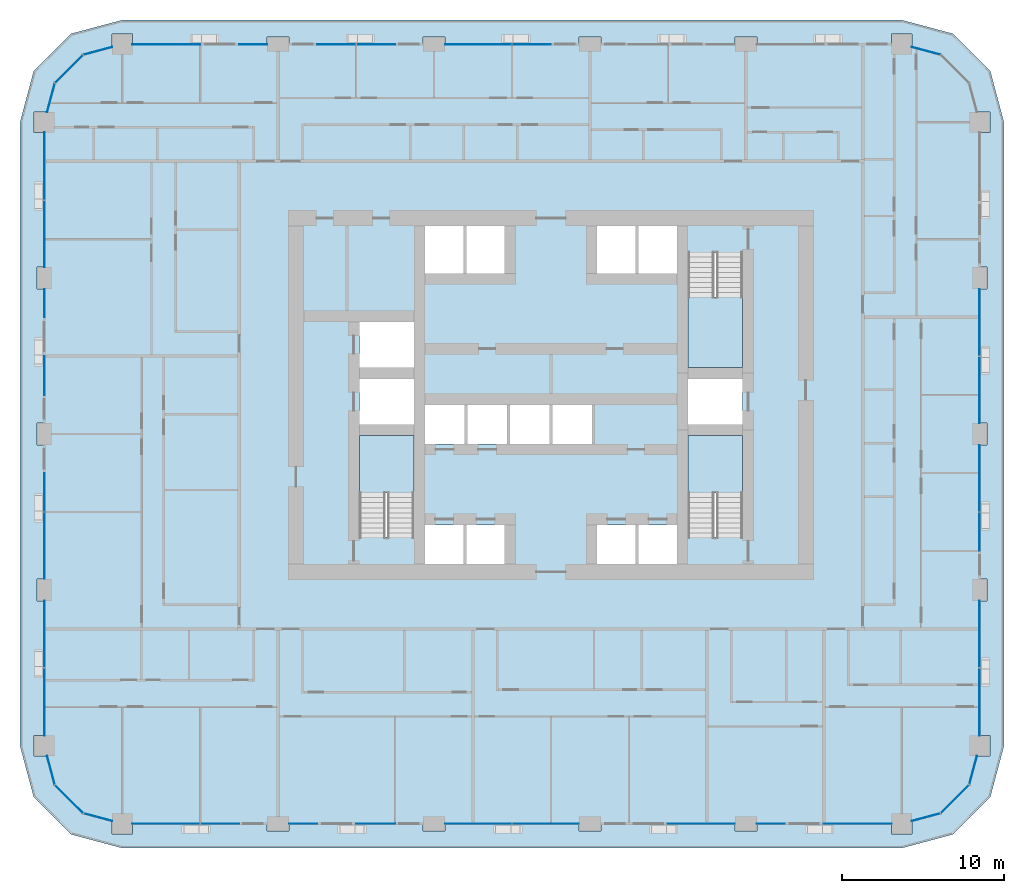
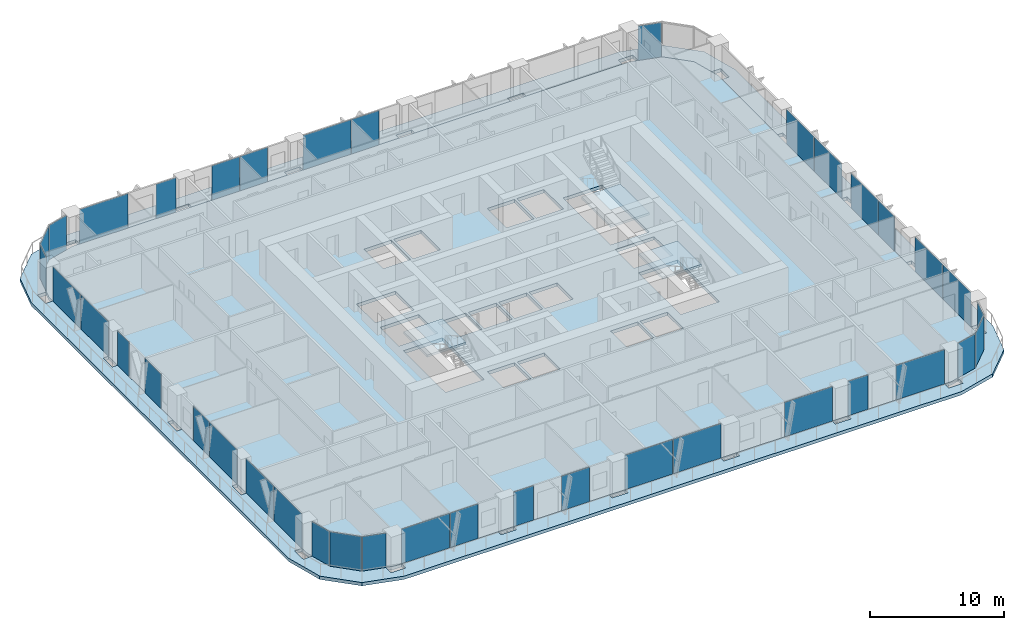
# One storey, part 7 of 21: 39 plates, 5 slabs, 22 elements without a shape of their own.
"""IFC4 building model written with IfcOpenShell, lengths in metres."""

from ifc_helpers import new_model, si_unit, direction, frame, origin, origin_2d, place, context, subcontext, project, spatial, polyline, rectangle, outline, extrude, material, layer, layer_set, type_object, element, aggregate, save


model = new_model("IFC4")

# Units and contexts
model_context = context("Model", 3, precision=1e-05, world=origin(), true_north=direction((0.0, 1.0)))
body_context = subcontext(model_context, "Body", "Model", "MODEL_VIEW")
ifc_project = project(units=[si_unit("LENGTHUNIT", "METRE"), si_unit("AREAUNIT", "SQUARE_METRE"), si_unit("VOLUMEUNIT", "CUBIC_METRE"), si_unit("PLANEANGLEUNIT", "RADIAN"), si_unit("MASSUNIT", "GRAM", prefix="KILO")], contexts=[model_context])

# Site, building, storey
site_placement = place(None, origin())
site = spatial("IfcSite", under=ifc_project, at=site_placement, CompositionType="ELEMENT")
building_placement = place(site_placement, origin())
building = spatial("IfcBuilding", under=site, at=building_placement, Name="Madar Terraces", CompositionType="ELEMENT")
storey_placement = place(building_placement, frame((0.0, 0.0, 29.39990234375)))
storey = spatial("IfcBuildingStorey", under=building, at=storey_placement, Name="L06", CompositionType="ELEMENT", Elevation=29.39990234375)

# Slabs
ifc_material_1 = material(Name="Concrete C50/60", Category="concrete")
ifc_layer_1 = layer(ifc_material_1, 0.300048828125)
ifc_layer_set_1 = layer_set([ifc_layer_1], Name="Balcony band 300")
slab_type_1 = type_object("IfcSlabType", Name="Balcony band 300", PredefinedType="FLOOR", material=ifc_layer_set_1)
slab_1_placement = place(storey_placement, frame((0.0, 0.0, -0.2998046875)))
element("IfcSlab", 1, at=slab_1_placement, inside=storey, type_object=slab_type_1, Name="Balcony band", PredefinedType="FLOOR", context=body_context, shape_type="SweptSolid", body=[
    extrude(outline(polyline([(4.800048828125, -1.5), (1.64990234375, -0.656005859375), (-0.656005859375, 1.64990234375), (-1.5, 4.800048828125), (-1.5, 43.199951171875), (-0.656005859375, 46.35009765625), (1.64990234375, 48.656005859375), (4.800048828125, 49.5), (52.800048828125, 49.5), (55.949951171875, 48.656005859375), (58.256103515625, 46.35009765625), (59.10009765625, 43.199951171875), (59.10009765625, 4.800048828125), (58.256103515625, 1.64990234375), (55.949951171875, -0.656005859375), (52.800048828125, -1.5), (4.800048828125, -1.5)]), holes=[polyline([(5.425048828125, -0.625), (5.425048828125, 0.0), (13.72509765625, 0.0), (13.72509765625, -0.449951171875), (15.074951171875, -0.449951171875), (15.074951171875, 0.0), (23.324951171875, 0.0), (23.324951171875, -0.449951171875), (24.675048828125, -0.449951171875), (24.675048828125, 0.0), (32.925048828125, 0.0), (32.925048828125, -0.449951171875), (34.27490234375, -0.449951171875), (34.27490234375, 0.0), (42.52490234375, 0.0), (42.52490234375, -0.449951171875), (43.875, -0.449951171875), (43.875, 0.0), (52.175048828125, 0.0), (52.175048828125, -0.625), (53.425048828125, -0.625), (53.425048828125, 0.16748046875), (55.199951171875, 0.64306640625), (56.956787109375, 2.39990234375), (57.4326171875, 4.175048828125), (58.22509765625, 4.175048828125), (58.22509765625, 5.425048828125), (57.60009765625, 5.425048828125), (57.60009765625, 13.72509765625), (58.050048828125, 13.72509765625), (58.050048828125, 15.074951171875), (57.60009765625, 15.074951171875), (57.60009765625, 23.324951171875), (58.050048828125, 23.324951171875), (58.050048828125, 24.675048828125), (57.60009765625, 24.675048828125), (57.60009765625, 32.925048828125), (58.050048828125, 32.925048828125), (58.050048828125, 34.27490234375), (57.60009765625, 34.27490234375), (57.60009765625, 42.574951171875), (58.22509765625, 42.574951171875), (58.22509765625, 43.824951171875), (57.4326171875, 43.824951171875), (56.956787109375, 45.60009765625), (55.199951171875, 47.35693359375), (53.425048828125, 47.83251953125), (53.425048828125, 48.625), (52.175048828125, 48.625), (52.175048828125, 48.0), (43.875, 48.0), (43.875, 48.449951171875), (42.52490234375, 48.449951171875), (42.52490234375, 48.0), (34.27490234375, 48.0), (34.27490234375, 48.449951171875), (32.925048828125, 48.449951171875), (32.925048828125, 48.0), (24.675048828125, 48.0), (24.675048828125, 48.449951171875), (23.324951171875, 48.449951171875), (23.324951171875, 48.0), (15.074951171875, 48.0), (15.074951171875, 48.449951171875), (13.72509765625, 48.449951171875), (13.72509765625, 48.0), (5.425048828125, 48.0), (5.425048828125, 48.625), (4.175048828125, 48.625), (4.175048828125, 47.83251953125), (2.39990234375, 47.35693359375), (0.64306640625, 45.60009765625), (0.16748046875, 43.824951171875), (-0.625, 43.824951171875), (-0.625, 42.574951171875), (0.0, 42.574951171875), (0.0, 34.27490234375), (-0.449951171875, 34.27490234375), (-0.449951171875, 32.925048828125), (0.0, 32.925048828125), (0.0, 24.675048828125), (-0.449951171875, 24.675048828125), (-0.449951171875, 23.324951171875), (0.0, 23.324951171875), (0.0, 15.074951171875), (-0.449951171875, 15.074951171875), (-0.449951171875, 13.72509765625), (0.0, 13.72509765625), (0.0, 5.425048828125), (-0.625, 5.425048828125), (-0.625, 4.175048828125), (0.16748046875, 4.175048828125), (0.64306640625, 2.39990234375), (2.39990234375, 0.64306640625), (4.175048828125, 0.16748046875), (4.175048828125, -0.625), (5.425048828125, -0.625)])]), origin(), (0.0, 0.0, 1.0), 0.2998046875),
])
ifc_material_2 = material(Name="Concrete C50/60", Category="concrete")
ifc_layer_2 = layer(ifc_material_2, 0.300048828125)
ifc_layer_set_2 = layer_set([ifc_layer_2], Name="FS2 PT flat slab 300")
slab_type_2 = type_object("IfcSlabType", Name="FS2 PT flat slab 300", PredefinedType="FLOOR", material=ifc_layer_set_2)
slab_2_placement = place(storey_placement, frame((0.0, 0.0, -0.2998046875)))
element("IfcSlab", 2, at=slab_2_placement, inside=storey, type_object=slab_type_2, Name="Floor slab L06 (1)", PredefinedType="FLOOR", context=body_context, shape_type="SweptSolid", body=[
    extrude(outline(polyline([(52.800048828125, 0.0), (55.199951171875, 0.64306640625), (56.95703125, 2.39990234375), (57.60009765625, 4.800048828125), (57.60009765625, 43.199951171875), (56.95703125, 45.60009765625), (55.199951171875, 47.35693359375), (52.800048828125, 48.0), (4.800048828125, 48.0), (2.39990234375, 47.35693359375), (0.64306640625, 45.60009765625), (0.0, 43.199951171875), (0.0, 4.800048828125), (0.64306640625, 2.39990234375), (2.39990234375, 0.64306640625), (4.800048828125, 0.0), (52.800048828125, 0.0)]), holes=[polyline([(23.449951171875, 16.0), (23.449951171875, 18.39990234375), (25.800048828125, 18.39990234375), (25.800048828125, 16.0), (23.449951171875, 16.0)]), polyline([(26.0, 16.0), (26.0, 18.39990234375), (28.35009765625, 18.39990234375), (28.35009765625, 16.0), (26.0, 16.0)]), polyline([(19.39990234375, 17.64990234375), (19.39990234375, 23.89990234375), (22.75, 23.89990234375), (22.75, 17.64990234375), (19.39990234375, 17.64990234375)]), polyline([(23.449951171875, 23.39990234375), (23.449951171875, 25.800048828125), (25.86669921875, 25.800048828125), (25.86669921875, 23.39990234375), (23.449951171875, 23.39990234375)]), polyline([(26.066650390625, 23.39990234375), (26.066650390625, 25.800048828125), (28.4833984375, 25.800048828125), (28.4833984375, 23.39990234375), (26.066650390625, 23.39990234375)]), polyline([(19.39990234375, 24.60009765625), (19.39990234375, 27.39990234375), (22.75, 27.39990234375), (22.75, 24.60009765625), (19.39990234375, 24.60009765625)]), polyline([(19.39990234375, 28.10009765625), (19.39990234375, 30.89990234375), (22.75, 30.89990234375), (22.75, 28.10009765625), (19.39990234375, 28.10009765625)]), polyline([(23.449951171875, 36.800048828125), (25.800048828125, 36.800048828125), (25.800048828125, 33.89990234375), (23.449951171875, 33.89990234375), (23.449951171875, 36.800048828125)]), polyline([(26.0, 36.800048828125), (28.35009765625, 36.800048828125), (28.35009765625, 33.89990234375), (26.0, 33.89990234375), (26.0, 36.800048828125)]), polyline([(34.050048828125, 16.0), (34.050048828125, 18.39990234375), (36.39990234375, 18.39990234375), (36.39990234375, 16.0), (34.050048828125, 16.0)]), polyline([(36.60009765625, 16.0), (36.60009765625, 18.39990234375), (38.949951171875, 18.39990234375), (38.949951171875, 16.0), (36.60009765625, 16.0)]), polyline([(39.64990234375, 17.64990234375), (39.64990234375, 23.89990234375), (43.0, 23.89990234375), (43.0, 17.64990234375), (39.64990234375, 17.64990234375)]), polyline([(28.683349609375, 23.39990234375), (28.683349609375, 25.800048828125), (31.10009765625, 25.800048828125), (31.10009765625, 23.39990234375), (28.683349609375, 23.39990234375)]), polyline([(31.300048828125, 23.39990234375), (31.300048828125, 25.800048828125), (33.716552734375, 25.800048828125), (33.716552734375, 23.39990234375), (31.300048828125, 23.39990234375)]), polyline([(39.64990234375, 24.60009765625), (39.64990234375, 27.39990234375), (43.0, 27.39990234375), (43.0, 24.60009765625), (39.64990234375, 24.60009765625)]), polyline([(39.64990234375, 28.10009765625), (39.64990234375, 35.14990234375), (43.0, 35.14990234375), (43.0, 28.10009765625), (39.64990234375, 28.10009765625)]), polyline([(34.050048828125, 36.800048828125), (36.39990234375, 36.800048828125), (36.39990234375, 33.89990234375), (34.050048828125, 33.89990234375), (34.050048828125, 36.800048828125)]), polyline([(36.60009765625, 36.800048828125), (38.949951171875, 36.800048828125), (38.949951171875, 33.89990234375), (36.60009765625, 33.89990234375), (36.60009765625, 36.800048828125)])]), origin(), (0.0, 0.0, 1.0), 0.2998046875),
])

# Curtain wall, plates
ifc_material_3 = material(Name="Glass, ceramic frit dark grey, with black aluminium frame", Category="aluminium")
ifc_layer_3 = layer(ifc_material_3, 0.199951171875)
ifc_layer_set_3 = layer_set([ifc_layer_3], Name="Facade curtain wall, fritted glass")
curtain_wall_type = type_object("IfcCurtainWallType", Name="Facade curtain wall, fritted glass", PredefinedType="NOTDEFINED", material=ifc_layer_set_3)
curtain_wall_1_placement = place(storey_placement, origin())
curtain_wall_1 = element("IfcCurtainWall", 3, at=curtain_wall_1_placement, inside=storey, type_object=curtain_wall_type, Name="Outer skin curtain wall south bay 1", PredefinedType="NOTDEFINED")
ifc_material_4 = material(Name="Glass, ceramic frit dark grey", Category="glass")
ifc_layer_4 = layer(ifc_material_4, 0.028076171875)
ifc_layer_set_4 = layer_set([ifc_layer_4], Name="Facade glass panel 28")
plate_type = type_object("IfcPlateType", Name="Facade glass panel 28", PredefinedType="CURTAIN_PANEL", material=ifc_layer_set_4)
plate_1_placement = place(storey_placement, frame((7.49755859375, 0.0, 0.0), z_axis=(0.0, 0.0, 1.0), x_axis=(1.0, 0.0, 0.0)))
plate_1 = element("IfcPlate", 4, at=plate_1_placement, type_object=plate_type, Name="Panel 1", PredefinedType="CURTAIN_PANEL", context=body_context, shape_type="SweptSolid", body=[
    extrude(rectangle(XDim=4.14501953125, YDim=0.028076171875, at=origin_2d()), origin(), (0.0, 0.0, 1.0), 3.139892578125),
])
plate_2_placement = place(storey_placement, frame((10.81494140625, 0.0, 0.0), z_axis=(0.0, 0.0, 1.0), x_axis=(1.0, 0.0, 0.0)))
plate_2 = element("IfcPlate", 5, at=plate_2_placement, type_object=plate_type, Name="Panel 2", PredefinedType="CURTAIN_PANEL", context=body_context, shape_type="SweptSolid", body=[
    extrude(rectangle(XDim=2.3701171875, YDim=0.028076171875, at=origin_2d()), origin(), (0.0, 0.0, 1.0), 3.139892578125),
])
aggregate(curtain_wall_1, [plate_1, plate_2])

curtain_wall_2_placement = place(storey_placement, origin())
curtain_wall_2 = element("IfcCurtainWall", 6, at=curtain_wall_2_placement, inside=storey, type_object=curtain_wall_type, Name="Outer skin curtain wall south bay 2", PredefinedType="NOTDEFINED")
plate_3_placement = place(storey_placement, frame((15.9375, 0.0, 0.0), z_axis=(0.0, 0.0, 1.0), x_axis=(1.0, 0.0, 0.0)))
plate_3 = element("IfcPlate", 7, at=plate_3_placement, type_object=plate_type, Name="Panel 1", PredefinedType="CURTAIN_PANEL", context=body_context, shape_type="SweptSolid", body=[
    extrude(rectangle(XDim=1.72509765625, YDim=0.028076171875, at=origin_2d()), origin(), (0.0, 0.0, 1.0), 3.139892578125),
])
plate_4_placement = place(storey_placement, frame((20.39990234375, 0.0, 0.0), z_axis=(0.0, 0.0, 1.0), x_axis=(1.0, 0.0, 0.0)))
plate_4 = element("IfcPlate", 8, at=plate_4_placement, type_object=plate_type, Name="Panel 2", PredefinedType="CURTAIN_PANEL", context=body_context, shape_type="SweptSolid", body=[
    extrude(rectangle(XDim=2.39990234375, YDim=0.028076171875, at=origin_2d()), origin(), (0.0, 0.0, 1.0), 3.139892578125),
])
aggregate(curtain_wall_2, [plate_3, plate_4])

curtain_wall_3_placement = place(storey_placement, origin())
curtain_wall_3 = element("IfcCurtainWall", 9, at=curtain_wall_3_placement, inside=storey, type_object=curtain_wall_type, Name="Outer skin curtain wall south bay 3", PredefinedType="NOTDEFINED")
plate_5_placement = place(storey_placement, frame((26.722412109375, 0.0, 0.0), z_axis=(0.0, 0.0, 1.0), x_axis=(1.0, 0.0, 0.0)))
plate_5 = element("IfcPlate", 10, at=plate_5_placement, type_object=plate_type, Name="Panel 1", PredefinedType="CURTAIN_PANEL", context=body_context, shape_type="SweptSolid", body=[
    extrude(rectangle(XDim=4.094970703125, YDim=0.028076171875, at=origin_2d()), origin(), (0.0, 0.0, 1.0), 3.139892578125),
])
plate_6_placement = place(storey_placement, frame((30.87744140625, 0.0, 0.0), z_axis=(0.0, 0.0, 1.0), x_axis=(1.0, 0.0, 0.0)))
plate_6 = element("IfcPlate", 11, at=plate_6_placement, type_object=plate_type, Name="Panel 2", PredefinedType="CURTAIN_PANEL", context=body_context, shape_type="SweptSolid", body=[
    extrude(rectangle(XDim=4.094970703125, YDim=0.028076171875, at=origin_2d()), origin(), (0.0, 0.0, 1.0), 3.139892578125),
])
aggregate(curtain_wall_3, [plate_5, plate_6])

# Curtain wall, plate
curtain_wall_4_placement = place(storey_placement, origin())
curtain_wall_4 = element("IfcCurtainWall", 12, at=curtain_wall_4_placement, inside=storey, type_object=curtain_wall_type, Name="Outer skin curtain wall south bay 4", PredefinedType="NOTDEFINED")
plate_7_placement = place(storey_placement, frame((40.46240234375, 0.0, 0.0), z_axis=(0.0, 0.0, 1.0), x_axis=(1.0, 0.0, 0.0)))
plate_7 = element("IfcPlate", 13, at=plate_7_placement, type_object=plate_type, Name="Panel 1", PredefinedType="CURTAIN_PANEL", context=body_context, shape_type="SweptSolid", body=[
    extrude(rectangle(XDim=4.125, YDim=0.028076171875, at=origin_2d()), origin(), (0.0, 0.0, 1.0), 3.139892578125),
])
aggregate(curtain_wall_4, [plate_7])

# Curtain wall, plates
curtain_wall_5_placement = place(storey_placement, origin())
curtain_wall_5 = element("IfcCurtainWall", 14, at=curtain_wall_5_placement, inside=storey, type_object=curtain_wall_type, Name="Outer skin curtain wall south bay 5", PredefinedType="NOTDEFINED")
plate_8_placement = place(storey_placement, frame((44.737548828125, 0.0, 0.0), z_axis=(0.0, 0.0, 1.0), x_axis=(1.0, 0.0, 0.0)))
plate_8 = element("IfcPlate", 15, at=plate_8_placement, type_object=plate_type, Name="Panel 1", PredefinedType="CURTAIN_PANEL", context=body_context, shape_type="SweptSolid", body=[
    extrude(rectangle(XDim=1.72509765625, YDim=0.028076171875, at=origin_2d()), origin(), (0.0, 0.0, 1.0), 3.139892578125),
])
plate_9_placement = place(storey_placement, frame((50.08740234375, 0.0, 0.0), z_axis=(0.0, 0.0, 1.0), x_axis=(1.0, 0.0, 0.0)))
plate_9 = element("IfcPlate", 16, at=plate_9_placement, type_object=plate_type, Name="Panel 2", PredefinedType="CURTAIN_PANEL", context=body_context, shape_type="SweptSolid", body=[
    extrude(rectangle(XDim=4.175048828125, YDim=0.028076171875, at=origin_2d()), origin(), (0.0, 0.0, 1.0), 3.139892578125),
])
aggregate(curtain_wall_5, [plate_8, plate_9])

curtain_wall_6_placement = place(storey_placement, origin())
curtain_wall_6 = element("IfcCurtainWall", 17, at=curtain_wall_6_placement, inside=storey, type_object=curtain_wall_type, Name="Outer skin curtain wall east bay 1", PredefinedType="NOTDEFINED")
plate_10_placement = place(storey_placement, frame((57.60009765625, 7.49755859375, 0.0), z_axis=(0.0, 0.0, 1.0), x_axis=(0.0, 1.0, 0.0)))
plate_10 = element("IfcPlate", 18, at=plate_10_placement, type_object=plate_type, Name="Panel 1", PredefinedType="CURTAIN_PANEL", context=body_context, shape_type="SweptSolid", body=[
    extrude(rectangle(XDim=4.14501953125, YDim=0.028076171875, at=origin_2d()), origin(), (0.0, 0.0, 1.0), 3.139892578125),
])
plate_11_placement = place(storey_placement, frame((57.60009765625, 11.677490234375, 0.0), z_axis=(0.0, 0.0, 1.0), x_axis=(0.0, 1.0, 0.0)))
plate_11 = element("IfcPlate", 19, at=plate_11_placement, type_object=plate_type, Name="Panel 2", PredefinedType="CURTAIN_PANEL", context=body_context, shape_type="SweptSolid", body=[
    extrude(rectangle(XDim=4.094970703125, YDim=0.028076171875, at=origin_2d()), origin(), (0.0, 0.0, 1.0), 3.139892578125),
])
aggregate(curtain_wall_6, [plate_10, plate_11])

curtain_wall_7_placement = place(storey_placement, origin())
curtain_wall_7 = element("IfcCurtainWall", 20, at=curtain_wall_7_placement, inside=storey, type_object=curtain_wall_type, Name="Outer skin curtain wall east bay 2", PredefinedType="NOTDEFINED")
plate_12_placement = place(storey_placement, frame((57.60009765625, 17.985107421875, 0.0), z_axis=(0.0, 0.0, 1.0), x_axis=(0.0, 1.0, 0.0)))
plate_12 = element("IfcPlate", 21, at=plate_12_placement, type_object=plate_type, Name="Panel 1", PredefinedType="CURTAIN_PANEL", context=body_context, shape_type="SweptSolid", body=[
    extrude(rectangle(XDim=2.3701171875, YDim=0.028076171875, at=origin_2d()), origin(), (0.0, 0.0, 1.0), 3.139892578125),
])
plate_13_placement = place(storey_placement, frame((57.60009765625, 21.277587890625, 0.0), z_axis=(0.0, 0.0, 1.0), x_axis=(0.0, 1.0, 0.0)))
plate_13 = element("IfcPlate", 22, at=plate_13_placement, type_object=plate_type, Name="Panel 2", PredefinedType="CURTAIN_PANEL", context=body_context, shape_type="SweptSolid", body=[
    extrude(rectangle(XDim=4.094970703125, YDim=0.028076171875, at=origin_2d()), origin(), (0.0, 0.0, 1.0), 3.139892578125),
])
aggregate(curtain_wall_7, [plate_12, plate_13])

curtain_wall_8_placement = place(storey_placement, origin())
curtain_wall_8 = element("IfcCurtainWall", 23, at=curtain_wall_8_placement, inside=storey, type_object=curtain_wall_type, Name="Outer skin curtain wall east bay 3", PredefinedType="NOTDEFINED")
plate_14_placement = place(storey_placement, frame((57.60009765625, 26.722412109375, 0.0), z_axis=(0.0, 0.0, 1.0), x_axis=(0.0, 1.0, 0.0)))
plate_14 = element("IfcPlate", 24, at=plate_14_placement, type_object=plate_type, Name="Panel 1", PredefinedType="CURTAIN_PANEL", context=body_context, shape_type="SweptSolid", body=[
    extrude(rectangle(XDim=4.094970703125, YDim=0.028076171875, at=origin_2d()), origin(), (0.0, 0.0, 1.0), 3.139892578125),
])
plate_15_placement = place(storey_placement, frame((57.60009765625, 30.87744140625, 0.0), z_axis=(0.0, 0.0, 1.0), x_axis=(0.0, 1.0, 0.0)))
plate_15 = element("IfcPlate", 25, at=plate_15_placement, type_object=plate_type, Name="Panel 2", PredefinedType="CURTAIN_PANEL", context=body_context, shape_type="SweptSolid", body=[
    extrude(rectangle(XDim=4.094970703125, YDim=0.028076171875, at=origin_2d()), origin(), (0.0, 0.0, 1.0), 3.139892578125),
])
aggregate(curtain_wall_8, [plate_14, plate_15])

curtain_wall_9_placement = place(storey_placement, origin())
curtain_wall_9 = element("IfcCurtainWall", 26, at=curtain_wall_9_placement, inside=storey, type_object=curtain_wall_type, Name="Outer skin curtain wall north bay 3", PredefinedType="NOTDEFINED")
plate_16_placement = place(storey_placement, frame((30.014892578125, 48.0, 0.0), z_axis=(0.0, 0.0, 1.0), x_axis=(-1.0, 0.0, 0.0)))
plate_16 = element("IfcPlate", 27, at=plate_16_placement, type_object=plate_type, Name="Panel 1", PredefinedType="CURTAIN_PANEL", context=body_context, shape_type="SweptSolid", body=[
    extrude(rectangle(XDim=2.3701171875, YDim=0.028076171875, at=origin_2d()), origin(), (0.0, 0.0, 1.0), 3.139892578125),
])
plate_17_placement = place(storey_placement, frame((26.722412109375, 48.0, 0.0), z_axis=(0.0, 0.0, 1.0), x_axis=(-1.0, 0.0, 0.0)))
plate_17 = element("IfcPlate", 28, at=plate_17_placement, type_object=plate_type, Name="Panel 2", PredefinedType="CURTAIN_PANEL", context=body_context, shape_type="SweptSolid", body=[
    extrude(rectangle(XDim=4.094970703125, YDim=0.028076171875, at=origin_2d()), origin(), (0.0, 0.0, 1.0), 3.139892578125),
])
aggregate(curtain_wall_9, [plate_16, plate_17])

curtain_wall_10_placement = place(storey_placement, origin())
curtain_wall_10 = element("IfcCurtainWall", 29, at=curtain_wall_10_placement, inside=storey, type_object=curtain_wall_type, Name="Outer skin curtain wall north bay 4", PredefinedType="NOTDEFINED")
plate_18_placement = place(storey_placement, frame((20.4150390625, 48.0, 0.0), z_axis=(0.0, 0.0, 1.0), x_axis=(-1.0, 0.0, 0.0)))
plate_18 = element("IfcPlate", 30, at=plate_18_placement, type_object=plate_type, Name="Panel 1", PredefinedType="CURTAIN_PANEL", context=body_context, shape_type="SweptSolid", body=[
    extrude(rectangle(XDim=2.3701171875, YDim=0.028076171875, at=origin_2d()), origin(), (0.0, 0.0, 1.0), 3.139892578125),
])
plate_19_placement = place(storey_placement, frame((17.985107421875, 48.0, 0.0), z_axis=(0.0, 0.0, 1.0), x_axis=(-1.0, 0.0, 0.0)))
plate_19 = element("IfcPlate", 31, at=plate_19_placement, type_object=plate_type, Name="Panel 2", PredefinedType="CURTAIN_PANEL", context=body_context, shape_type="SweptSolid", body=[
    extrude(rectangle(XDim=2.3701171875, YDim=0.028076171875, at=origin_2d()), origin(), (0.0, 0.0, 1.0), 3.139892578125),
])
aggregate(curtain_wall_10, [plate_18, plate_19])

curtain_wall_11_placement = place(storey_placement, origin())
curtain_wall_11 = element("IfcCurtainWall", 32, at=curtain_wall_11_placement, inside=storey, type_object=curtain_wall_type, Name="Outer skin curtain wall north bay 5", PredefinedType="NOTDEFINED")
plate_20_placement = place(storey_placement, frame((12.862548828125, 48.0, 0.0), z_axis=(0.0, 0.0, 1.0), x_axis=(-1.0, 0.0, 0.0)))
plate_20 = element("IfcPlate", 33, at=plate_20_placement, type_object=plate_type, Name="Panel 1", PredefinedType="CURTAIN_PANEL", context=body_context, shape_type="SweptSolid", body=[
    extrude(rectangle(XDim=1.72509765625, YDim=0.028076171875, at=origin_2d()), origin(), (0.0, 0.0, 1.0), 3.139892578125),
])
plate_21_placement = place(storey_placement, frame((7.512451171875, 48.0, 0.0), z_axis=(0.0, 0.0, 1.0), x_axis=(-1.0, 0.0, 0.0)))
plate_21 = element("IfcPlate", 34, at=plate_21_placement, type_object=plate_type, Name="Panel 2", PredefinedType="CURTAIN_PANEL", context=body_context, shape_type="SweptSolid", body=[
    extrude(rectangle(XDim=4.175048828125, YDim=0.028076171875, at=origin_2d()), origin(), (0.0, 0.0, 1.0), 3.139892578125),
])
aggregate(curtain_wall_11, [plate_20, plate_21])

curtain_wall_12_placement = place(storey_placement, origin())
curtain_wall_12 = element("IfcCurtainWall", 35, at=curtain_wall_12_placement, inside=storey, type_object=curtain_wall_type, Name="Outer skin curtain wall west bay 1", PredefinedType="NOTDEFINED")
plate_22_placement = place(storey_placement, frame((0.0, 40.50244140625, 0.0), z_axis=(0.0, 0.0, 1.0), x_axis=(0.0, -1.0, 0.0)))
plate_22 = element("IfcPlate", 36, at=plate_22_placement, type_object=plate_type, Name="Panel 1", PredefinedType="CURTAIN_PANEL", context=body_context, shape_type="SweptSolid", body=[
    extrude(rectangle(XDim=4.14501953125, YDim=0.028076171875, at=origin_2d()), origin(), (0.0, 0.0, 1.0), 3.139892578125),
])
plate_23_placement = place(storey_placement, frame((0.0, 36.322509765625, 0.0), z_axis=(0.0, 0.0, 1.0), x_axis=(0.0, -1.0, 0.0)))
plate_23 = element("IfcPlate", 37, at=plate_23_placement, type_object=plate_type, Name="Panel 2", PredefinedType="CURTAIN_PANEL", context=body_context, shape_type="SweptSolid", body=[
    extrude(rectangle(XDim=4.094970703125, YDim=0.028076171875, at=origin_2d()), origin(), (0.0, 0.0, 1.0), 3.139892578125),
])
aggregate(curtain_wall_12, [plate_22, plate_23])

curtain_wall_13_placement = place(storey_placement, origin())
curtain_wall_13 = element("IfcCurtainWall", 38, at=curtain_wall_13_placement, inside=storey, type_object=curtain_wall_type, Name="Outer skin curtain wall west bay 2", PredefinedType="NOTDEFINED")
plate_24_placement = place(storey_placement, frame((0.0, 32.0625, 0.0), z_axis=(0.0, 0.0, 1.0), x_axis=(0.0, -1.0, 0.0)))
plate_24 = element("IfcPlate", 39, at=plate_24_placement, type_object=plate_type, Name="Panel 1", PredefinedType="CURTAIN_PANEL", context=body_context, shape_type="SweptSolid", body=[
    extrude(rectangle(XDim=1.72509765625, YDim=0.028076171875, at=origin_2d()), origin(), (0.0, 0.0, 1.0), 3.139892578125),
])
plate_25_placement = place(storey_placement, frame((0.0, 27.60009765625, 0.0), z_axis=(0.0, 0.0, 1.0), x_axis=(0.0, -1.0, 0.0)))
plate_25 = element("IfcPlate", 40, at=plate_25_placement, type_object=plate_type, Name="Panel 2", PredefinedType="CURTAIN_PANEL", context=body_context, shape_type="SweptSolid", body=[
    extrude(rectangle(XDim=2.39990234375, YDim=0.028076171875, at=origin_2d()), origin(), (0.0, 0.0, 1.0), 3.139892578125),
])
aggregate(curtain_wall_13, [plate_24, plate_25])

curtain_wall_14_placement = place(storey_placement, origin())
curtain_wall_14 = element("IfcCurtainWall", 41, at=curtain_wall_14_placement, inside=storey, type_object=curtain_wall_type, Name="Outer skin curtain wall west bay 3", PredefinedType="NOTDEFINED")
plate_26_placement = place(storey_placement, frame((0.0, 20.4150390625, 0.0), z_axis=(0.0, 0.0, 1.0), x_axis=(0.0, -1.0, 0.0)))
plate_26 = element("IfcPlate", 42, at=plate_26_placement, type_object=plate_type, Name="Panel 1", PredefinedType="CURTAIN_PANEL", context=body_context, shape_type="SweptSolid", body=[
    extrude(rectangle(XDim=2.3701171875, YDim=0.028076171875, at=origin_2d()), origin(), (0.0, 0.0, 1.0), 3.139892578125),
])
plate_27_placement = place(storey_placement, frame((0.0, 17.12255859375, 0.0), z_axis=(0.0, 0.0, 1.0), x_axis=(0.0, -1.0, 0.0)))
plate_27 = element("IfcPlate", 43, at=plate_27_placement, type_object=plate_type, Name="Panel 2", PredefinedType="CURTAIN_PANEL", context=body_context, shape_type="SweptSolid", body=[
    extrude(rectangle(XDim=4.094970703125, YDim=0.028076171875, at=origin_2d()), origin(), (0.0, 0.0, 1.0), 3.139892578125),
])
aggregate(curtain_wall_14, [plate_26, plate_27])

curtain_wall_15_placement = place(storey_placement, origin())
curtain_wall_15 = element("IfcCurtainWall", 44, at=curtain_wall_15_placement, inside=storey, type_object=curtain_wall_type, Name="Outer skin curtain wall west bay 4", PredefinedType="NOTDEFINED")
plate_28_placement = place(storey_placement, frame((0.0, 11.677490234375, 0.0), z_axis=(0.0, 0.0, 1.0), x_axis=(0.0, -1.0, 0.0)))
plate_28 = element("IfcPlate", 45, at=plate_28_placement, type_object=plate_type, Name="Panel 1", PredefinedType="CURTAIN_PANEL", context=body_context, shape_type="SweptSolid", body=[
    extrude(rectangle(XDim=4.094970703125, YDim=0.028076171875, at=origin_2d()), origin(), (0.0, 0.0, 1.0), 3.139892578125),
])
plate_29_placement = place(storey_placement, frame((0.0, 7.49755859375, 0.0), z_axis=(0.0, 0.0, 1.0), x_axis=(0.0, -1.0, 0.0)))
plate_29 = element("IfcPlate", 46, at=plate_29_placement, type_object=plate_type, Name="Panel 2", PredefinedType="CURTAIN_PANEL", context=body_context, shape_type="SweptSolid", body=[
    extrude(rectangle(XDim=4.14501953125, YDim=0.028076171875, at=origin_2d()), origin(), (0.0, 0.0, 1.0), 3.139892578125),
])
aggregate(curtain_wall_15, [plate_28, plate_29])

curtain_wall_16_placement = place(storey_placement, origin())
curtain_wall_16 = element("IfcCurtainWall", 47, at=curtain_wall_16_placement, inside=storey, type_object=curtain_wall_type, Name="Outer skin curtain wall south-east corner", PredefinedType="NOTDEFINED")
plate_30_placement = place(storey_placement, frame((54.298095703125, 0.4013671875, 0.0), z_axis=(0.0, 0.0, 1.0), x_axis=(0.965925832509, 0.258819021888, 0.0)))
plate_30 = element("IfcPlate", 48, at=plate_30_placement, type_object=plate_type, Name="Panel 1", PredefinedType="CURTAIN_PANEL", context=body_context, shape_type="SweptSolid", body=[
    extrude(rectangle(XDim=1.8076171875, YDim=0.028076171875, at=origin_2d()), origin(), (0.0, 0.0, 1.0), 3.139892578125),
])
plate_31_placement = place(storey_placement, frame((56.078369140625, 1.521484375, 0.0), z_axis=(0.0, 0.0, 1.0), x_axis=(0.707106781187, 0.707106781187, 0.0)))
plate_31 = element("IfcPlate", 49, at=plate_31_placement, type_object=plate_type, Name="Panel 2", PredefinedType="CURTAIN_PANEL", context=body_context, shape_type="SweptSolid", body=[
    extrude(rectangle(XDim=2.424560546875, YDim=0.028076171875, at=origin_2d()), origin(), (0.0, 0.0, 1.0), 3.139892578125),
])
plate_32_placement = place(storey_placement, frame((57.19873046875, 3.302001953125, 0.0), z_axis=(0.0, 0.0, 1.0), x_axis=(0.258819021888, 0.965925832509, 0.0)))
plate_32 = element("IfcPlate", 50, at=plate_32_placement, type_object=plate_type, Name="Panel 3", PredefinedType="CURTAIN_PANEL", context=body_context, shape_type="SweptSolid", body=[
    extrude(rectangle(XDim=1.8076171875, YDim=0.028076171875, at=origin_2d()), origin(), (0.0, 0.0, 1.0), 3.139892578125),
])
aggregate(curtain_wall_16, [plate_30, plate_31, plate_32])

# Curtain wall, plate
curtain_wall_17_placement = place(storey_placement, origin())
curtain_wall_17 = element("IfcCurtainWall", 51, at=curtain_wall_17_placement, inside=storey, type_object=curtain_wall_type, Name="Outer skin curtain wall north-east corner", PredefinedType="NOTDEFINED")
plate_33_placement = place(storey_placement, frame((54.298095703125, 47.5986328125, 0.0), z_axis=(0.0, 0.0, 1.0), x_axis=(-0.965925832509, 0.258819021888, 0.0)))
plate_33 = element("IfcPlate", 52, at=plate_33_placement, type_object=plate_type, Name="Panel 3", PredefinedType="CURTAIN_PANEL", context=body_context, shape_type="SweptSolid", body=[
    extrude(rectangle(XDim=1.8076171875, YDim=0.028076171875, at=origin_2d()), origin(), (0.0, 0.0, 1.0), 3.139892578125),
])
aggregate(curtain_wall_17, [plate_33])

# Curtain wall, plates
curtain_wall_18_placement = place(storey_placement, origin())
curtain_wall_18 = element("IfcCurtainWall", 53, at=curtain_wall_18_placement, inside=storey, type_object=curtain_wall_type, Name="Outer skin curtain wall north-west corner", PredefinedType="NOTDEFINED")
plate_34_placement = place(storey_placement, frame((3.302001953125, 47.5986328125, 0.0), z_axis=(0.0, 0.0, 1.0), x_axis=(-0.965925832509, -0.258819021888, 0.0)))
plate_34 = element("IfcPlate", 54, at=plate_34_placement, type_object=plate_type, Name="Panel 1", PredefinedType="CURTAIN_PANEL", context=body_context, shape_type="SweptSolid", body=[
    extrude(rectangle(XDim=1.8076171875, YDim=0.028076171875, at=origin_2d()), origin(), (0.0, 0.0, 1.0), 3.139892578125),
])
plate_35_placement = place(storey_placement, frame((1.521484375, 46.478515625, 0.0), z_axis=(0.0, 0.0, 1.0), x_axis=(-0.707106781187, -0.707106781187, 0.0)))
plate_35 = element("IfcPlate", 55, at=plate_35_placement, type_object=plate_type, Name="Panel 2", PredefinedType="CURTAIN_PANEL", context=body_context, shape_type="SweptSolid", body=[
    extrude(rectangle(XDim=2.424560546875, YDim=0.028076171875, at=origin_2d()), origin(), (0.0, 0.0, 1.0), 3.139892578125),
])
plate_36_placement = place(storey_placement, frame((0.4013671875, 44.697998046875, 0.0), z_axis=(0.0, 0.0, 1.0), x_axis=(-0.258819021888, -0.965925832509, 0.0)))
plate_36 = element("IfcPlate", 56, at=plate_36_placement, type_object=plate_type, Name="Panel 3", PredefinedType="CURTAIN_PANEL", context=body_context, shape_type="SweptSolid", body=[
    extrude(rectangle(XDim=1.8076171875, YDim=0.028076171875, at=origin_2d()), origin(), (0.0, 0.0, 1.0), 3.139892578125),
])
aggregate(curtain_wall_18, [plate_34, plate_35, plate_36])

curtain_wall_19_placement = place(storey_placement, origin())
curtain_wall_19 = element("IfcCurtainWall", 57, at=curtain_wall_19_placement, inside=storey, type_object=curtain_wall_type, Name="Outer skin curtain wall south-west corner", PredefinedType="NOTDEFINED")
plate_37_placement = place(storey_placement, frame((0.4013671875, 3.302001953125, 0.0), z_axis=(0.0, 0.0, 1.0), x_axis=(0.258819021888, -0.965925832509, 0.0)))
plate_37 = element("IfcPlate", 58, at=plate_37_placement, type_object=plate_type, Name="Panel 1", PredefinedType="CURTAIN_PANEL", context=body_context, shape_type="SweptSolid", body=[
    extrude(rectangle(XDim=1.8076171875, YDim=0.028076171875, at=origin_2d()), origin(), (0.0, 0.0, 1.0), 3.139892578125),
])
plate_38_placement = place(storey_placement, frame((1.521484375, 1.521484375, 0.0), z_axis=(0.0, 0.0, 1.0), x_axis=(0.707106781187, -0.707106781187, 0.0)))
plate_38 = element("IfcPlate", 59, at=plate_38_placement, type_object=plate_type, Name="Panel 2", PredefinedType="CURTAIN_PANEL", context=body_context, shape_type="SweptSolid", body=[
    extrude(rectangle(XDim=2.424560546875, YDim=0.028076171875, at=origin_2d()), origin(), (0.0, 0.0, 1.0), 3.139892578125),
])
plate_39_placement = place(storey_placement, frame((3.302001953125, 0.4013671875, 0.0), z_axis=(0.0, 0.0, 1.0), x_axis=(0.965925832509, -0.258819021888, 0.0)))
plate_39 = element("IfcPlate", 60, at=plate_39_placement, type_object=plate_type, Name="Panel 3", PredefinedType="CURTAIN_PANEL", context=body_context, shape_type="SweptSolid", body=[
    extrude(rectangle(XDim=1.8076171875, YDim=0.028076171875, at=origin_2d()), origin(), (0.0, 0.0, 1.0), 3.139892578125),
])
aggregate(curtain_wall_19, [plate_37, plate_38, plate_39])

# Stair, slab
ifc_material_5 = material(Name="Concrete C50/60", Category="concrete")
stair_type_1 = type_object("IfcStairType", Name="Stair ST1 protected exit", PredefinedType="HALF_TURN_STAIR", material=ifc_material_5)
stair_1_placement = place(storey_placement, origin())
stair_1 = element("IfcStair", 61, at=stair_1_placement, inside=storey, type_object=stair_type_1, Name="L06 Protected Exit Stair ST1", PredefinedType="HALF_TURN_STAIR")
ifc_material_6 = material(Name="Concrete C50/60", Category="concrete")
ifc_layer_5 = layer(ifc_material_6, 0.199951171875)
ifc_layer_set_5 = layer_set([ifc_layer_5], Name="Stair landing 200, top +1.75")
slab_type_3 = type_object("IfcSlabType", Name="Stair landing 200, top +1.75", PredefinedType="LANDING", material=ifc_layer_set_5)
slab_3_placement = place(storey_placement, frame((0.0, 0.0, 1.550048828125)))
slab_3 = element("IfcSlab", 62, at=slab_3_placement, type_object=slab_type_3, Name="ST1 landing 1", PredefinedType="LANDING", context=body_context, shape_type="SweptSolid", body=[
    extrude(outline(polyline([(19.39990234375, 20.360107421875), (22.75, 20.360107421875), (22.75, 23.89990234375), (19.39990234375, 23.89990234375), (19.39990234375, 20.360107421875)])), origin(), (0.0, 0.0, 1.0), 0.199951171875),
])
aggregate(stair_1, [slab_3])

ifc_material_7 = material(Name="Concrete C50/60", Category="concrete")
stair_type_2 = type_object("IfcStairType", Name="Stair ST2 protected exit", PredefinedType="HALF_TURN_STAIR", material=ifc_material_7)
stair_2_placement = place(storey_placement, origin())
stair_2 = element("IfcStair", 63, at=stair_2_placement, inside=storey, type_object=stair_type_2, Name="L06 Protected Exit Stair ST2", PredefinedType="HALF_TURN_STAIR")
slab_4_placement = place(storey_placement, frame((0.0, 0.0, 1.550048828125)))
slab_4 = element("IfcSlab", 64, at=slab_4_placement, type_object=slab_type_3, Name="ST2 landing 1", PredefinedType="LANDING", context=body_context, shape_type="SweptSolid", body=[
    extrude(outline(polyline([(39.64990234375, 28.10009765625), (43.0, 28.10009765625), (43.0, 32.43994140625), (39.64990234375, 32.43994140625), (39.64990234375, 28.10009765625)])), origin(), (0.0, 0.0, 1.0), 0.199951171875),
])
aggregate(stair_2, [slab_4])

ifc_material_8 = material(Name="Concrete C50/60", Category="concrete")
stair_type_3 = type_object("IfcStairType", Name="Stair ST3 protected exit", PredefinedType="HALF_TURN_STAIR", material=ifc_material_8)
stair_3_placement = place(storey_placement, origin())
stair_3 = element("IfcStair", 65, at=stair_3_placement, inside=storey, type_object=stair_type_3, Name="L06 Protected Exit Stair ST3", PredefinedType="HALF_TURN_STAIR")
slab_5_placement = place(storey_placement, frame((0.0, 0.0, 1.550048828125)))
slab_5 = element("IfcSlab", 66, at=slab_5_placement, type_object=slab_type_3, Name="ST3 landing 1", PredefinedType="LANDING", context=body_context, shape_type="SweptSolid", body=[
    extrude(outline(polyline([(39.64990234375, 20.360107421875), (43.0, 20.360107421875), (43.0, 23.89990234375), (39.64990234375, 23.89990234375), (39.64990234375, 20.360107421875)])), origin(), (0.0, 0.0, 1.0), 0.199951171875),
])
aggregate(stair_3, [slab_5])

save(model, "model.ifc")
